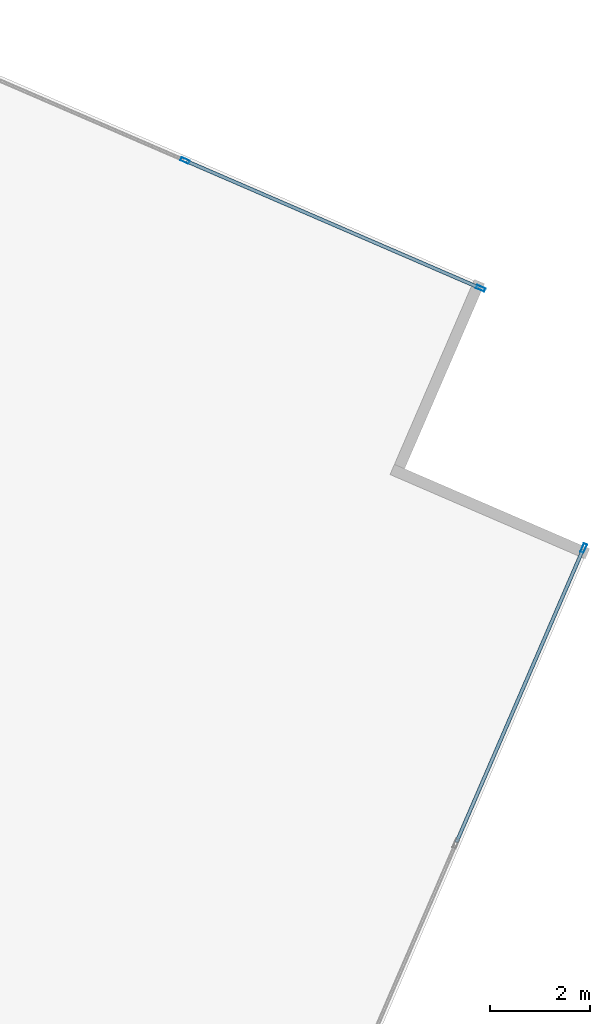
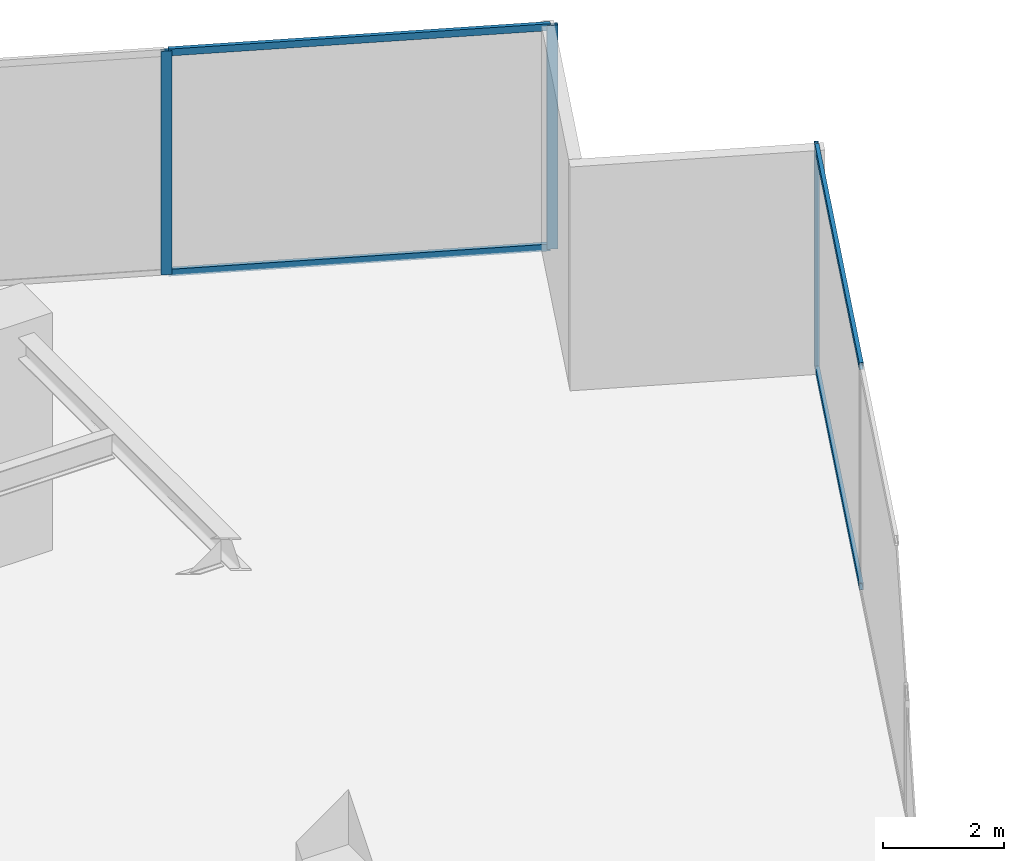
# One storey, part 18 of 24: 7 members, 2 elements without a shape of their own.
"""IFC4 building model written with IfcOpenShell, lengths in metres."""

from ifc_helpers import new_model, si_unit, direction, frame, origin, origin_2d, place, context, subcontext, project, spatial, hollow_rectangle, extrude, source, transform, mapped, material, material_profile, profile_set, type_object, type_shapes, element, aggregate, save


model = new_model("IFC4")

# Units and contexts
model_context = context("Model", 3, precision=1e-05, world=origin(), true_north=direction((0.0, 1.0)))
body_context = subcontext(model_context, "Body", "Model", "MODEL_VIEW")
ifc_project = project(units=[si_unit("LENGTHUNIT", "METRE"), si_unit("AREAUNIT", "SQUARE_METRE"), si_unit("VOLUMEUNIT", "CUBIC_METRE"), si_unit("PLANEANGLEUNIT", "RADIAN"), si_unit("MASSUNIT", "GRAM", prefix="KILO")], contexts=[model_context])

# Site, building, storey
site_placement = place(None, origin())
site = spatial("IfcSite", under=ifc_project, at=site_placement, CompositionType="ELEMENT")
building_placement = place(site_placement, origin())
building = spatial("IfcBuilding", under=site, at=building_placement, Name="Krantzveldt Concourse Tower", CompositionType="ELEMENT")
storey_placement = place(building_placement, frame((0.0, 0.0, 141.39990234375)))
storey = spatial("IfcBuildingStorey", under=building, at=storey_placement, Name="L34", CompositionType="ELEMENT", Elevation=141.39990234375)

# Curtain wall, members
ifc_material = material(Name="Anodised aluminium 6063-T6", Category="aluminium")
curtain_wall_type = type_object("IfcCurtainWallType", Name="CW5", PredefinedType="USERDEFINED", material=ifc_material)
curtain_wall_1_placement = place(storey_placement, origin())
curtain_wall_1 = element("IfcCurtainWall", 1, at=curtain_wall_1_placement, inside=storey, type_object=curtain_wall_type, Name="CW-L34-F07", ObjectType="UNITISED CURTAIN WALL", PredefinedType="USERDEFINED")
ifc_material_profile_1 = material_profile(ifc_material, hollow_rectangle(XDim=0.070068359375, YDim=0.139892578125, WallThickness=0.0048828125, at=origin_2d()), Name="Anodised aluminium 6063-T6", Category="aluminium")
ifc_profile_set_1 = profile_set([ifc_material_profile_1], Name="Anodised aluminium 6063-T6 - ALU-TRAN 140x70x5")
member_type_1 = type_object("IfcMemberType", Name="CW-TRN-150", PredefinedType="USERDEFINED", material=ifc_profile_set_1)
shared_shape_1 = source(origin(), body_context, "Body", "SweptSolid", [
    extrude(hollow_rectangle(XDim=0.070068359375, YDim=0.139892578125, WallThickness=0.0048828125, at=origin_2d()), origin(), (0.0, 0.0, 1.0), 6.361572265625),
])
type_shapes(member_type_1, [shared_shape_1])
member_1_placement = place(storey_placement, frame((62.5419921875, 29.355712890625, 0.03515625), z_axis=(0.396738129747, 0.91793183647, 0.0), x_axis=(-0.91793183647, 0.396738129747, 0.0)))
member_1 = element("IfcMember", 2, at=member_1_placement, type_object=member_type_1, Name="CW-SKY transom 6.1", ObjectType="TRANSOM", PredefinedType="USERDEFINED", context=body_context, shape_type="MappedRepresentation", body=[
    mapped(shared_shape_1, transform((0.0, 0.0, 0.0), x_axis=(1.0, 0.0, 0.0), y_axis=(0.0, 1.0, 0.0), z_axis=(0.0, 0.0, 1.0), scale=1.0)),
])
member_2_placement = place(storey_placement, frame((62.5419921875, 29.355712890625, 4.485107421875), z_axis=(0.396738129747, 0.91793183647, 0.0), x_axis=(-0.91793183647, 0.396738129747, 0.0)))
member_2 = element("IfcMember", 3, at=member_2_placement, type_object=member_type_1, Name="CW-SKY transom 6.2", ObjectType="TRANSOM", PredefinedType="USERDEFINED", context=body_context, shape_type="MappedRepresentation", body=[
    mapped(shared_shape_1, transform((0.0, 0.0, 0.0), x_axis=(1.0, 0.0, 0.0), y_axis=(0.0, 1.0, 0.0), z_axis=(0.0, 0.0, 1.0), scale=1.0)),
])

curtain_wall_2_placement = place(storey_placement, origin())
curtain_wall_2 = element("IfcCurtainWall", 4, at=curtain_wall_2_placement, inside=storey, type_object=curtain_wall_type, Name="CW-L34-F10", ObjectType="UNITISED CURTAIN WALL", PredefinedType="USERDEFINED")
member_3_placement = place(storey_placement, frame((62.99169921875, 40.427734375, 0.03515625), z_axis=(-0.91793183647, 0.396738129747, 0.0), x_axis=(-0.396738129747, -0.91793183647, 0.0)))
member_3 = element("IfcMember", 5, at=member_3_placement, type_object=member_type_1, Name="CW-SKY transom 1.1", ObjectType="TRANSOM", PredefinedType="USERDEFINED", context=body_context, shape_type="MappedRepresentation", body=[
    mapped(shared_shape_1, transform((0.0, 0.0, 0.0), x_axis=(1.0, 0.0, 0.0), y_axis=(0.0, 1.0, 0.0), z_axis=(0.0, 0.0, 1.0), scale=1.0)),
])
member_4_placement = place(storey_placement, frame((62.99169921875, 40.427734375, 4.485107421875), z_axis=(-0.91793183647, 0.396738129747, 0.0), x_axis=(-0.396738129747, -0.91793183647, 0.0)))
member_4 = element("IfcMember", 6, at=member_4_placement, type_object=member_type_1, Name="CW-SKY transom 1.2", ObjectType="TRANSOM", PredefinedType="USERDEFINED", context=body_context, shape_type="MappedRepresentation", body=[
    mapped(shared_shape_1, transform((0.0, 0.0, 0.0), x_axis=(1.0, 0.0, 0.0), y_axis=(0.0, 1.0, 0.0), z_axis=(0.0, 0.0, 1.0), scale=1.0)),
])

# Member
ifc_material_profile_2 = material_profile(ifc_material, hollow_rectangle(XDim=0.070068359375, YDim=0.179931640625, WallThickness=0.0048828125, at=origin_2d()), Name="Anodised aluminium 6063-T6", Category="aluminium")
ifc_profile_set_2 = profile_set([ifc_material_profile_2], Name="Anodised aluminium 6063-T6 - ALU-MULL 180x70x5")
member_type_2 = type_object("IfcMemberType", Name="CW-MUL-180", PredefinedType="MULLION", material=ifc_profile_set_2)
shared_shape_2 = source(origin(), body_context, "Body", "SweptSolid", [
    extrude(hollow_rectangle(XDim=0.070068359375, YDim=0.179931640625, WallThickness=0.0048828125, at=origin_2d()), origin(), (0.0, 0.0, 1.0), 4.52001953125),
])
type_shapes(member_type_2, [shared_shape_2])
member_5_placement = place(storey_placement, frame((65.079833984375, 35.2275390625, 0.0), z_axis=(0.0, 0.0, 1.0), x_axis=(-0.917927822306, 0.396747417177, 0.0)))
member_5 = element("IfcMember", 7, at=member_5_placement, type_object=member_type_2, Name="CW-SKY mullion 7", PredefinedType="MULLION", context=body_context, shape_type="MappedRepresentation", body=[
    mapped(shared_shape_2, transform((0.0, 0.0, 0.0), x_axis=(1.0, 0.0, 0.0), y_axis=(0.0, 1.0, 0.0), z_axis=(0.0, 0.0, 1.0), scale=1.0)),
])

aggregate(curtain_wall_1, [member_5, member_1, member_2])

member_6_placement = place(storey_placement, frame((63.02392578125, 40.413818359375, 0.0), z_axis=(0.0, 0.0, 1.0), x_axis=(-0.396747417177, -0.917927822306, 0.0)))
member_6 = element("IfcMember", 8, at=member_6_placement, type_object=member_type_2, Name="CW-SKY mullion 1", PredefinedType="MULLION", context=body_context, shape_type="MappedRepresentation", body=[
    mapped(shared_shape_2, transform((0.0, 0.0, 0.0), x_axis=(1.0, 0.0, 0.0), y_axis=(0.0, 1.0, 0.0), z_axis=(0.0, 0.0, 1.0), scale=1.0)),
])

member_7_placement = place(storey_placement, frame((57.1201171875, 42.965576171875, 0.0), z_axis=(0.0, 0.0, 1.0), x_axis=(-0.396747417177, -0.917927822306, 0.0)))
member_7 = element("IfcMember", 9, at=member_7_placement, type_object=member_type_2, Name="CW-SKY mullion 2", PredefinedType="MULLION", context=body_context, shape_type="MappedRepresentation", body=[
    mapped(shared_shape_2, transform((0.0, 0.0, 0.0), x_axis=(1.0, 0.0, 0.0), y_axis=(0.0, 1.0, 0.0), z_axis=(0.0, 0.0, 1.0), scale=1.0)),
])

aggregate(curtain_wall_2, [member_6, member_7, member_3, member_4])

save(model, "model.ifc")
